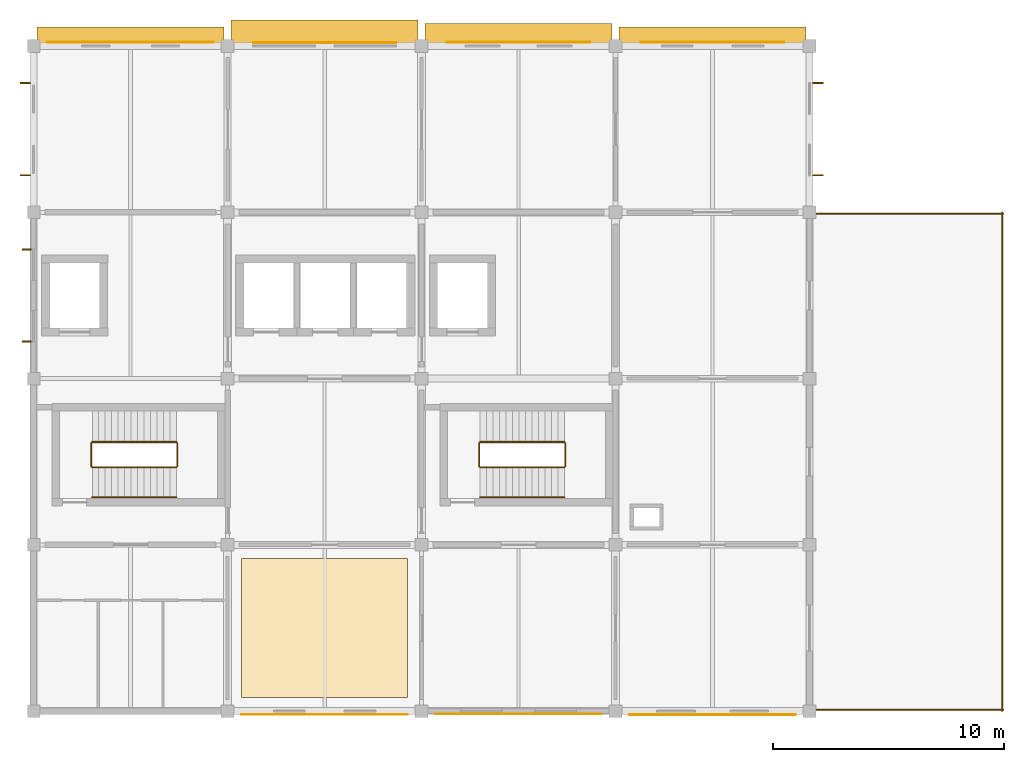
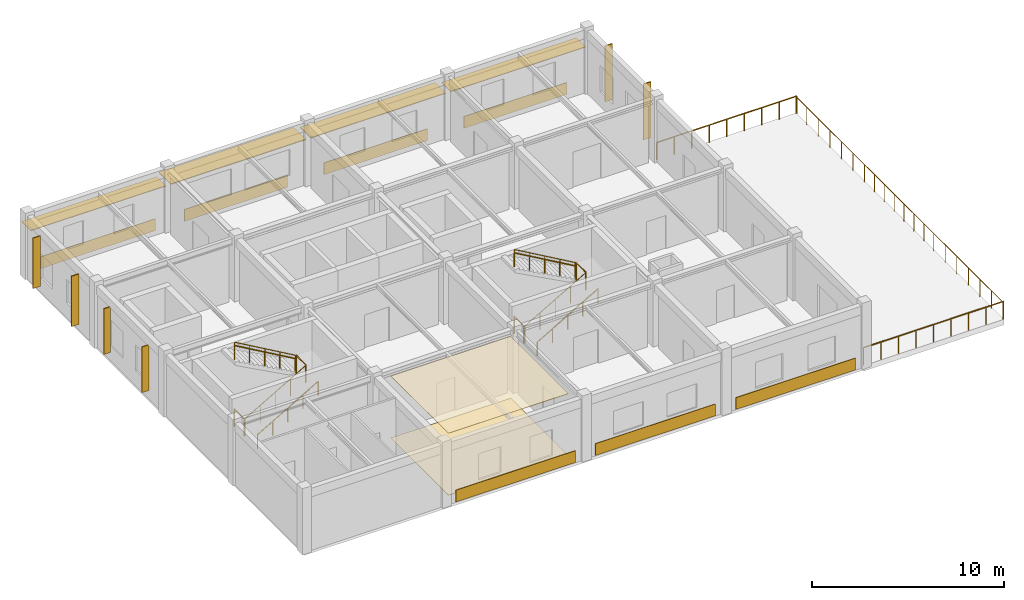
# One storey, part 6 of 6: 17 railings, 10 shading devices, 9 coverings.
"""IFC4 building model written with IfcOpenShell, lengths in metres."""

from ifc_helpers import new_model, si_unit, derived_unit, direction, frame, origin, origin_2d, place, context, subcontext, project, spatial, polyline, rectangle, circle, outline, extrude, material, layer, layer_set, type_object, element, save


model = new_model("IFC4")

# Units and contexts
model_context = context("Model", 3, precision=1e-05, world=origin(), true_north=direction((0.0, 1.0)))
body_context = subcontext(model_context, "Body", "Model", "MODEL_VIEW")
ifc_project = project(units=[si_unit("LENGTHUNIT", "METRE"), si_unit("AREAUNIT", "SQUARE_METRE"), si_unit("VOLUMEUNIT", "CUBIC_METRE"), si_unit("PLANEANGLEUNIT", "RADIAN"), si_unit("MASSUNIT", "GRAM", prefix="KILO"), derived_unit("THERMALTRANSMITTANCEUNIT", [(si_unit("MASSUNIT", "GRAM", prefix="KILO"), 1), (si_unit("TIMEUNIT", "SECOND"), -3), (si_unit("THERMODYNAMICTEMPERATUREUNIT", "KELVIN"), -1)])], contexts=[model_context])

# Site, building, storey
site_placement = place(None, origin())
site = spatial("IfcSite", under=ifc_project, at=site_placement, CompositionType="ELEMENT")
building_placement = place(site_placement, origin())
building = spatial("IfcBuilding", under=site, at=building_placement, Name="Veldstrom Oceanarium and Marine Research Institute", CompositionType="ELEMENT")
storey_placement = place(building_placement, frame((0.0, 0.0, 60.60009765625)))
storey = spatial("IfcBuildingStorey", under=building, at=storey_placement, Name="L13", CompositionType="ELEMENT", Elevation=60.60009765625)

# Coverings
ifc_material_1 = material(Name="Anodised Aluminium Spandrel Rainscreen Cladding", Category="aluminium")
ifc_layer_1 = layer(ifc_material_1, 0.75)
ifc_layer_set_1 = layer_set([ifc_layer_1], Name="ARC-COV-CD1")
covering_type_1 = type_object("IfcCoveringType", Name="ARC-COV-CD1", PredefinedType="CLADDING", material=ifc_layer_set_1)
for number, where, z_axis, x_axis, name in (
    (1, (79.800048828125, 72.16845703125, 0.044921875), (0.0, 0.0, 1.0), (1.0, 0.0, 0.0), "Spandrel Rainscreen Cladding L13-164"),
    (2, (88.199951171875, 43.051513671875, 0.044921875), (0.0, 0.0, 1.0), (1.0, 0.0, 0.0), "Spandrel Rainscreen Cladding L13-166"),
    (3, (96.60009765625, 43.0791015625, 0.044921875), (0.0, 0.0, 1.0), (1.0, 0.0, 0.0), "Spandrel Rainscreen Cladding L13-168"),
    (4, (105.0, 43.04150390625, 0.044921875), (0.0, 0.0, 1.0), (1.0, 0.0, 0.0), "Spandrel Rainscreen Cladding L13-170"),
):
    element("IfcCovering", number, at=place(storey_placement, frame(where, z_axis=z_axis, x_axis=x_axis)), inside=storey, type_object=covering_type_1, Name=name, PredefinedType="CLADDING", context=body_context, shape_type="SweptSolid", body=[
        extrude(rectangle(XDim=7.199951171875, YDim=0.034912109375, at=origin_2d()), origin(), (0.0, 0.0, 1.0), 0.75),
    ])
ifc_material_2 = material(Name="Terracotta Spandrel Rainscreen Cladding", Category="masonry")
ifc_layer_2 = layer(ifc_material_2, 0.75)
ifc_layer_set_2 = layer_set([ifc_layer_2], Name="ARC-COV-CD2")
covering_type_2 = type_object("IfcCoveringType", Name="ARC-COV-CD2", PredefinedType="CLADDING", material=ifc_layer_set_2)
for number, where, z_axis, x_axis, name in (
    (5, (88.199951171875, 72.14111328125, 0.044921875), (0.0, 0.0, 1.0), (1.0, 0.0, 0.0), "Spandrel Rainscreen Cladding L13-167"),
    (6, (96.60009765625, 72.1708984375, 0.044921875), (0.0, 0.0, 1.0), (1.0, 0.0, 0.0), "Spandrel Rainscreen Cladding L13-169"),
    (7, (105.0, 72.1708984375, 0.044921875), (0.0, 0.0, 1.0), (1.0, 0.0, 0.0), "Spandrel Rainscreen Cladding L13-171"),
):
    element("IfcCovering", number, at=place(storey_placement, frame(where, z_axis=z_axis, x_axis=x_axis)), inside=storey, type_object=covering_type_2, Name=name, PredefinedType="CLADDING", context=body_context, shape_type="SweptSolid", body=[
        extrude(rectangle(XDim=6.199951171875, YDim=0.0400390625, at=origin_2d()), origin(), (0.0, 0.0, 1.0), 0.75),
    ])
ifc_material_3 = material(Name="Mineral-Fibre Acoustic Ceiling Tile", Category="gypsum")
ifc_layer_3 = layer(ifc_material_3, 0.02490234375)
ifc_layer_set_3 = layer_set([ifc_layer_3], Name="ARC-COV-CL1")
covering_type_3 = type_object("IfcCoveringType", Name="ARC-COV-CL1", PredefinedType="CEILING", material=ifc_layer_set_3)
covering_1_placement = place(storey_placement, frame((0.0, 0.0, 3.9248046875)))
element("IfcCovering", 8, at=covering_1_placement, inside=storey, type_object=covering_type_3, Name="Suspended Acoustic Ceiling L13", PredefinedType="CEILING", context=body_context, shape_type="SweptSolid", body=[
    extrude(outline(polyline([(84.60009765625, 43.800048828125), (91.800048828125, 43.800048828125), (91.800048828125, 49.800048828125), (84.60009765625, 49.800048828125), (84.60009765625, 43.800048828125)])), origin(), (0.0, 0.0, 1.0), 0.025146484375),
])
ifc_material_4 = material(Name="Polished Terrazzo and Marine Epoxy Flooring", Category="concrete")
ifc_layer_4 = layer(ifc_material_4, 0.02001953125)
ifc_layer_set_4 = layer_set([ifc_layer_4], Name="ARC-COV-FL1")
covering_type_4 = type_object("IfcCoveringType", Name="ARC-COV-FL1", PredefinedType="FLOORING", material=ifc_layer_set_4)
covering_2_placement = place(storey_placement, origin())
element("IfcCovering", 9, at=covering_2_placement, inside=storey, type_object=covering_type_4, Name="Terrazzo and Marine Epoxy Floor Finish L13", PredefinedType="FLOORING", context=body_context, shape_type="SweptSolid", body=[
    extrude(outline(polyline([(84.60009765625, 43.800048828125), (91.800048828125, 43.800048828125), (91.800048828125, 49.800048828125), (84.60009765625, 49.800048828125), (84.60009765625, 43.800048828125)])), origin(), (0.0, 0.0, 1.0), 0.02001953125),
])

# Railings
ifc_material_5 = material(Name="Duplex Stainless Steel Balustrade", Category="steel")
ifc_layer_5 = layer(ifc_material_5, 0.06005859375)
ifc_layer_set_5 = layer_set([ifc_layer_5], Name="ARC-RLG-GR1")
railing_type_1 = type_object("IfcRailingType", Name="ARC-RLG-GR1", PredefinedType="GUARDRAIL", material=ifc_layer_set_5)
railing_1_placement = place(storey_placement, frame((109.199951171875, 43.260009765625, 0.0)))
element("IfcRailing", 10, at=railing_1_placement, inside=storey, type_object=railing_type_1, Name="Terrace Perimeter Guardrail GR-L13-01", PredefinedType="GUARDRAIL", context=body_context, shape_type="SweptSolid", body=[
    extrude(circle(Radius=0.02392578125, at=origin_2d()), frame((0.0, 0.0, 1.09619140625), z_axis=(1.0, 0.0, 0.0), x_axis=(0.0, 1.0, 0.0)), (0.0, 0.0, 1.0), 8.400146484375),
    extrude(circle(Radius=0.02099609375, at=origin_2d()), origin(), (0.0, 0.0, 1.0), 1.072021484375),
    extrude(circle(Radius=0.02099609375, at=origin_2d()), frame((1.050048828125, 0.0, 0.0)), (0.0, 0.0, 1.0), 1.072021484375),
    extrude(circle(Radius=0.02099609375, at=origin_2d()), frame((2.10009765625, 0.0, 0.0)), (0.0, 0.0, 1.0), 1.072021484375),
    extrude(circle(Radius=0.02099609375, at=origin_2d()), frame((3.150146484375, 0.0, 0.0)), (0.0, 0.0, 1.0), 1.072021484375),
    extrude(circle(Radius=0.02099609375, at=origin_2d()), frame((4.2001953125, 0.0, 0.0)), (0.0, 0.0, 1.0), 1.072021484375),
    extrude(circle(Radius=0.02099609375, at=origin_2d()), frame((5.25, 0.0, 0.0)), (0.0, 0.0, 1.0), 1.072021484375),
    extrude(circle(Radius=0.02099609375, at=origin_2d()), frame((6.300048828125, 0.0, 0.0)), (0.0, 0.0, 1.0), 1.072021484375),
    extrude(circle(Radius=0.02099609375, at=origin_2d()), frame((7.35009765625, 0.0, 0.0)), (0.0, 0.0, 1.0), 1.072021484375),
    extrude(circle(Radius=0.02099609375, at=origin_2d()), frame((8.400146484375, 0.0, 0.0)), (0.0, 0.0, 1.0), 1.072021484375),
])
railing_2_placement = place(storey_placement, frame((117.5400390625, 43.199951171875, 0.0)))
element("IfcRailing", 11, at=railing_2_placement, inside=storey, type_object=railing_type_1, Name="Terrace Perimeter Guardrail GR-L13-02", PredefinedType="GUARDRAIL", context=body_context, shape_type="SweptSolid", body=[
    extrude(circle(Radius=0.02392578125, at=origin_2d()), frame((0.0, 0.0, 1.09619140625), z_axis=(0.0, 1.0, 0.0), x_axis=(-1.0, 0.0, 0.0)), (0.0, 0.0, 1.0), 7.199951171875),
    extrude(circle(Radius=0.02099609375, at=origin_2d()), origin(), (0.0, 0.0, 1.0), 1.072021484375),
    extrude(circle(Radius=0.02099609375, at=origin_2d()), frame((0.0, 1.199951171875, 0.0)), (0.0, 0.0, 1.0), 1.072021484375),
    extrude(circle(Radius=0.02099609375, at=origin_2d()), frame((0.0, 2.39990234375, 0.0)), (0.0, 0.0, 1.0), 1.072021484375),
    extrude(circle(Radius=0.02099609375, at=origin_2d()), frame((0.0, 3.60009765625, 0.0)), (0.0, 0.0, 1.0), 1.072021484375),
    extrude(circle(Radius=0.02099609375, at=origin_2d()), frame((0.0, 4.800048828125, 0.0)), (0.0, 0.0, 1.0), 1.072021484375),
    extrude(circle(Radius=0.02099609375, at=origin_2d()), frame((0.0, 6.0, 0.0)), (0.0, 0.0, 1.0), 1.072021484375),
    extrude(circle(Radius=0.02099609375, at=origin_2d()), frame((0.0, 7.199951171875, 0.0)), (0.0, 0.0, 1.0), 1.072021484375),
])
railing_3_placement = place(storey_placement, frame((117.5400390625, 50.39990234375, 0.0)))
element("IfcRailing", 12, at=railing_3_placement, inside=storey, type_object=railing_type_1, Name="Terrace Perimeter Guardrail GR-L13-03", PredefinedType="GUARDRAIL", context=body_context, shape_type="SweptSolid", body=[
    extrude(circle(Radius=0.02392578125, at=origin_2d()), frame((0.0, 0.0, 1.09619140625), z_axis=(0.0, 1.0, 0.0), x_axis=(-1.0, 0.0, 0.0)), (0.0, 0.0, 1.0), 7.2001953125),
    extrude(circle(Radius=0.02099609375, at=origin_2d()), origin(), (0.0, 0.0, 1.0), 1.072021484375),
    extrude(circle(Radius=0.02099609375, at=origin_2d()), frame((0.0, 1.028564453125, 0.0)), (0.0, 0.0, 1.0), 1.072021484375),
    extrude(circle(Radius=0.02099609375, at=origin_2d()), frame((0.0, 2.05712890625, 0.0)), (0.0, 0.0, 1.0), 1.072021484375),
    extrude(circle(Radius=0.02099609375, at=origin_2d()), frame((0.0, 3.085693359375, 0.0)), (0.0, 0.0, 1.0), 1.072021484375),
    extrude(circle(Radius=0.02099609375, at=origin_2d()), frame((0.0, 4.114501953125, 0.0)), (0.0, 0.0, 1.0), 1.072021484375),
    extrude(circle(Radius=0.02099609375, at=origin_2d()), frame((0.0, 5.14306640625, 0.0)), (0.0, 0.0, 1.0), 1.072021484375),
    extrude(circle(Radius=0.02099609375, at=origin_2d()), frame((0.0, 6.171630859375, 0.0)), (0.0, 0.0, 1.0), 1.072021484375),
    extrude(circle(Radius=0.02099609375, at=origin_2d()), frame((0.0, 7.2001953125, 0.0)), (0.0, 0.0, 1.0), 1.072021484375),
])
railing_4_placement = place(storey_placement, frame((109.199951171875, 64.739990234375, 0.0)))
element("IfcRailing", 13, at=railing_4_placement, inside=storey, type_object=railing_type_1, Name="Terrace Perimeter Guardrail GR-L13-04", PredefinedType="GUARDRAIL", context=body_context, shape_type="SweptSolid", body=[
    extrude(circle(Radius=0.02392578125, at=origin_2d()), frame((0.0, 0.0, 1.09619140625), z_axis=(1.0, 0.0, 0.0), x_axis=(0.0, 1.0, 0.0)), (0.0, 0.0, 1.0), 8.400146484375),
    extrude(circle(Radius=0.02099609375, at=origin_2d()), origin(), (0.0, 0.0, 1.0), 1.072021484375),
    extrude(circle(Radius=0.02099609375, at=origin_2d()), frame((1.050048828125, 0.0, 0.0)), (0.0, 0.0, 1.0), 1.072021484375),
    extrude(circle(Radius=0.02099609375, at=origin_2d()), frame((2.10009765625, 0.0, 0.0)), (0.0, 0.0, 1.0), 1.072021484375),
    extrude(circle(Radius=0.02099609375, at=origin_2d()), frame((3.150146484375, 0.0, 0.0)), (0.0, 0.0, 1.0), 1.072021484375),
    extrude(circle(Radius=0.02099609375, at=origin_2d()), frame((4.2001953125, 0.0, 0.0)), (0.0, 0.0, 1.0), 1.072021484375),
    extrude(circle(Radius=0.02099609375, at=origin_2d()), frame((5.25, 0.0, 0.0)), (0.0, 0.0, 1.0), 1.072021484375),
    extrude(circle(Radius=0.02099609375, at=origin_2d()), frame((6.300048828125, 0.0, 0.0)), (0.0, 0.0, 1.0), 1.072021484375),
    extrude(circle(Radius=0.02099609375, at=origin_2d()), frame((7.35009765625, 0.0, 0.0)), (0.0, 0.0, 1.0), 1.072021484375),
    extrude(circle(Radius=0.02099609375, at=origin_2d()), frame((8.400146484375, 0.0, 0.0)), (0.0, 0.0, 1.0), 1.072021484375),
])
railing_5_placement = place(storey_placement, frame((117.5400390625, 57.60009765625, 0.0)))
element("IfcRailing", 14, at=railing_5_placement, inside=storey, type_object=railing_type_1, Name="Terrace Perimeter Guardrail GR-L13-05", PredefinedType="GUARDRAIL", context=body_context, shape_type="SweptSolid", body=[
    extrude(circle(Radius=0.02392578125, at=origin_2d()), frame((0.0, 0.0, 1.09619140625), z_axis=(0.0, 1.0, 0.0), x_axis=(-1.0, 0.0, 0.0)), (0.0, 0.0, 1.0), 7.199951171875),
    extrude(circle(Radius=0.02099609375, at=origin_2d()), origin(), (0.0, 0.0, 1.0), 1.072021484375),
    extrude(circle(Radius=0.02099609375, at=origin_2d()), frame((0.0, 1.199951171875, 0.0)), (0.0, 0.0, 1.0), 1.072021484375),
    extrude(circle(Radius=0.02099609375, at=origin_2d()), frame((0.0, 2.39990234375, 0.0)), (0.0, 0.0, 1.0), 1.072021484375),
    extrude(circle(Radius=0.02099609375, at=origin_2d()), frame((0.0, 3.60009765625, 0.0)), (0.0, 0.0, 1.0), 1.072021484375),
    extrude(circle(Radius=0.02099609375, at=origin_2d()), frame((0.0, 4.800048828125, 0.0)), (0.0, 0.0, 1.0), 1.072021484375),
    extrude(circle(Radius=0.02099609375, at=origin_2d()), frame((0.0, 6.0, 0.0)), (0.0, 0.0, 1.0), 1.072021484375),
    extrude(circle(Radius=0.02099609375, at=origin_2d()), frame((0.0, 7.199951171875, 0.0)), (0.0, 0.0, 1.0), 1.072021484375),
])
railing_6_placement = place(storey_placement, frame((78.10009765625, 53.800048828125, 0.0)))
element("IfcRailing", 15, at=railing_6_placement, inside=storey, type_object=railing_type_1, Name="Stair Well Landing Guard ST1 L13", PredefinedType="GUARDRAIL", context=body_context, shape_type="SweptSolid", body=[
    extrude(circle(Radius=0.02392578125, at=origin_2d()), frame((0.0, 0.0, 1.09619140625), z_axis=(0.0, 1.0, 0.0), x_axis=(-1.0, 0.0, 0.0)), (0.0, 0.0, 1.0), 1.0),
    extrude(circle(Radius=0.02099609375, at=origin_2d()), origin(), (0.0, 0.0, 1.0), 1.072021484375),
    extrude(circle(Radius=0.02099609375, at=origin_2d()), frame((0.0, 1.0, 0.0)), (0.0, 0.0, 1.0), 1.072021484375),
])
railing_7_placement = place(storey_placement, frame((78.139892578125, 53.760009765625, 0.0)))
element("IfcRailing", 16, at=railing_7_placement, inside=storey, type_object=railing_type_1, Name="Stair Flight Guardrail ST1-L13-1", PredefinedType="GUARDRAIL", context=body_context, shape_type="SweptSolid", body=[
    extrude(circle(Radius=0.02392578125, at=origin_2d()), frame((0.0, 0.0, 1.09619140625), z_axis=(0.866208797654, 0.0, 0.499682217882), x_axis=(0.0, 1.0, 0.0)), (0.0, 0.0, 1.0), 4.202392578125),
    extrude(circle(Radius=0.02099609375, at=origin_2d()), origin(), (0.0, 0.0, 1.0), 1.072021484375),
    extrude(circle(Radius=0.02099609375, at=origin_2d()), frame((0.91015625, 0.0, 0.52490234375)), (0.0, 0.0, 1.0), 1.072021484375),
    extrude(circle(Radius=0.02099609375, at=origin_2d()), frame((1.820068359375, 0.0, 1.0498046875)), (0.0, 0.0, 1.0), 1.072021484375),
    extrude(circle(Radius=0.02099609375, at=origin_2d()), frame((2.72998046875, 0.0, 1.574951171875)), (0.0, 0.0, 1.0), 1.072021484375),
    extrude(circle(Radius=0.02099609375, at=origin_2d()), frame((3.64013671875, 0.0, 2.099853515625)), (0.0, 0.0, 1.0), 1.072021484375),
])
railing_8_placement = place(storey_placement, frame((81.820068359375, 53.800048828125, 2.099853515625)))
element("IfcRailing", 17, at=railing_8_placement, inside=storey, type_object=railing_type_1, Name="Stair Half-Landing Guardrail ST1-L13", PredefinedType="GUARDRAIL", context=body_context, shape_type="SweptSolid", body=[
    extrude(circle(Radius=0.02392578125, at=origin_2d()), frame((0.0, 0.0, 1.09619140625), z_axis=(0.0, 1.0, 0.0), x_axis=(-1.0, 0.0, 0.0)), (0.0, 0.0, 1.0), 1.0),
    extrude(circle(Radius=0.02099609375, at=origin_2d()), origin(), (0.0, 0.0, 1.0), 1.072021484375),
    extrude(circle(Radius=0.02099609375, at=origin_2d()), frame((0.0, 1.0, 0.0)), (0.0, 0.0, 1.0), 1.072021484375),
])
railing_9_placement = place(storey_placement, frame((81.780029296875, 54.840087890625, 2.099853515625)))
element("IfcRailing", 18, at=railing_9_placement, inside=storey, type_object=railing_type_1, Name="Stair Flight Guardrail ST1-L13-2", PredefinedType="GUARDRAIL", context=body_context, shape_type="SweptSolid", body=[
    extrude(circle(Radius=0.02392578125, at=origin_2d()), frame((0.0, 0.0, 1.09619140625), z_axis=(-0.86618365172, 0.0, 0.499725806311), x_axis=(0.0, -1.0, 0.0)), (0.0, 0.0, 1.0), 4.202392578125),
    extrude(circle(Radius=0.02099609375, at=origin_2d()), origin(), (0.0, 0.0, 1.0), 1.072021484375),
    extrude(circle(Radius=0.02099609375, at=origin_2d()), frame((-0.91015625, 0.0, 0.52490234375)), (0.0, 0.0, 1.0), 1.072021484375),
    extrude(circle(Radius=0.02099609375, at=origin_2d()), frame((-1.820068359375, 0.0, 1.050048828125)), (0.0, 0.0, 1.0), 1.072021484375),
    extrude(circle(Radius=0.02099609375, at=origin_2d()), frame((-2.72998046875, 0.0, 1.5751953125)), (0.0, 0.0, 1.0), 1.072021484375),
    extrude(circle(Radius=0.02099609375, at=origin_2d()), frame((-3.64013671875, 0.0, 2.10009765625)), (0.0, 0.0, 1.0), 1.072021484375),
])
railing_10_placement = place(storey_placement, frame((94.89990234375, 53.800048828125, 0.0)))
element("IfcRailing", 19, at=railing_10_placement, inside=storey, type_object=railing_type_1, Name="Stair Well Landing Guard ST2 L13", PredefinedType="GUARDRAIL", context=body_context, shape_type="SweptSolid", body=[
    extrude(circle(Radius=0.02392578125, at=origin_2d()), frame((0.0, 0.0, 1.09619140625), z_axis=(0.0, 1.0, 0.0), x_axis=(-1.0, 0.0, 0.0)), (0.0, 0.0, 1.0), 1.0),
    extrude(circle(Radius=0.02099609375, at=origin_2d()), origin(), (0.0, 0.0, 1.0), 1.072021484375),
    extrude(circle(Radius=0.02099609375, at=origin_2d()), frame((0.0, 1.0, 0.0)), (0.0, 0.0, 1.0), 1.072021484375),
])
railing_11_placement = place(storey_placement, frame((94.93994140625, 53.760009765625, 0.0)))
element("IfcRailing", 20, at=railing_11_placement, inside=storey, type_object=railing_type_1, Name="Stair Flight Guardrail ST2-L13-1", PredefinedType="GUARDRAIL", context=body_context, shape_type="SweptSolid", body=[
    extrude(circle(Radius=0.02392578125, at=origin_2d()), frame((0.0, 0.0, 1.09619140625), z_axis=(0.866208797654, 0.0, 0.499682217882), x_axis=(0.0, 1.0, 0.0)), (0.0, 0.0, 1.0), 4.202392578125),
    extrude(circle(Radius=0.02099609375, at=origin_2d()), origin(), (0.0, 0.0, 1.0), 1.072021484375),
    extrude(circle(Radius=0.02099609375, at=origin_2d()), frame((0.91015625, 0.0, 0.52490234375)), (0.0, 0.0, 1.0), 1.072021484375),
    extrude(circle(Radius=0.02099609375, at=origin_2d()), frame((1.820068359375, 0.0, 1.0498046875)), (0.0, 0.0, 1.0), 1.072021484375),
    extrude(circle(Radius=0.02099609375, at=origin_2d()), frame((2.72998046875, 0.0, 1.574951171875)), (0.0, 0.0, 1.0), 1.072021484375),
    extrude(circle(Radius=0.02099609375, at=origin_2d()), frame((3.64013671875, 0.0, 2.099853515625)), (0.0, 0.0, 1.0), 1.072021484375),
])
railing_12_placement = place(storey_placement, frame((98.6201171875, 53.800048828125, 2.099853515625)))
element("IfcRailing", 21, at=railing_12_placement, inside=storey, type_object=railing_type_1, Name="Stair Half-Landing Guardrail ST2-L13", PredefinedType="GUARDRAIL", context=body_context, shape_type="SweptSolid", body=[
    extrude(circle(Radius=0.02392578125, at=origin_2d()), frame((0.0, 0.0, 1.09619140625), z_axis=(0.0, 1.0, 0.0), x_axis=(-1.0, 0.0, 0.0)), (0.0, 0.0, 1.0), 1.0),
    extrude(circle(Radius=0.02099609375, at=origin_2d()), origin(), (0.0, 0.0, 1.0), 1.072021484375),
    extrude(circle(Radius=0.02099609375, at=origin_2d()), frame((0.0, 1.0, 0.0)), (0.0, 0.0, 1.0), 1.072021484375),
])
railing_13_placement = place(storey_placement, frame((98.580078125, 54.840087890625, 2.099853515625)))
element("IfcRailing", 22, at=railing_13_placement, inside=storey, type_object=railing_type_1, Name="Stair Flight Guardrail ST2-L13-2", PredefinedType="GUARDRAIL", context=body_context, shape_type="SweptSolid", body=[
    extrude(circle(Radius=0.02392578125, at=origin_2d()), frame((0.0, 0.0, 1.09619140625), z_axis=(-0.86618365172, 0.0, 0.499725806311), x_axis=(0.0, -1.0, 0.0)), (0.0, 0.0, 1.0), 4.202392578125),
    extrude(circle(Radius=0.02099609375, at=origin_2d()), origin(), (0.0, 0.0, 1.0), 1.072021484375),
    extrude(circle(Radius=0.02099609375, at=origin_2d()), frame((-0.91015625, 0.0, 0.52490234375)), (0.0, 0.0, 1.0), 1.072021484375),
    extrude(circle(Radius=0.02099609375, at=origin_2d()), frame((-1.820068359375, 0.0, 1.050048828125)), (0.0, 0.0, 1.0), 1.072021484375),
    extrude(circle(Radius=0.02099609375, at=origin_2d()), frame((-2.72998046875, 0.0, 1.5751953125)), (0.0, 0.0, 1.0), 1.072021484375),
    extrude(circle(Radius=0.02099609375, at=origin_2d()), frame((-3.64013671875, 0.0, 2.10009765625)), (0.0, 0.0, 1.0), 1.072021484375),
])
ifc_material_6 = material(Name="Brushed Stainless Steel Handrail", Category="steel")
ifc_layer_6 = layer(ifc_material_6, 0.050048828125)
ifc_layer_set_6 = layer_set([ifc_layer_6], Name="ARC-RLG-HR1")
railing_type_2 = type_object("IfcRailingType", Name="ARC-RLG-HR1", PredefinedType="HANDRAIL", material=ifc_layer_set_6)
railing_14_placement = place(storey_placement, frame((78.139892578125, 52.4599609375, 0.0)))
element("IfcRailing", 23, at=railing_14_placement, inside=storey, type_object=railing_type_2, Name="Stair Wall Handrail ST1-L13-1", PredefinedType="HANDRAIL", context=body_context, shape_type="SweptSolid", body=[
    extrude(circle(Radius=0.02392578125, at=origin_2d()), frame((0.0, 0.0, 0.8759765625), z_axis=(0.866208797654, 0.0, 0.499682217882), x_axis=(0.0, 1.0, 0.0)), (0.0, 0.0, 1.0), 4.202392578125),
    extrude(circle(Radius=0.02099609375, at=origin_2d()), origin(), (0.0, 0.0, 1.0), 0.851806640625),
    extrude(circle(Radius=0.02099609375, at=origin_2d()), frame((0.91015625, 0.0, 0.52490234375)), (0.0, 0.0, 1.0), 0.851806640625),
    extrude(circle(Radius=0.02099609375, at=origin_2d()), frame((1.820068359375, 0.0, 1.0498046875)), (0.0, 0.0, 1.0), 0.851806640625),
    extrude(circle(Radius=0.02099609375, at=origin_2d()), frame((2.72998046875, 0.0, 1.574951171875)), (0.0, 0.0, 1.0), 0.851806640625),
    extrude(circle(Radius=0.02099609375, at=origin_2d()), frame((3.64013671875, 0.0, 2.099853515625)), (0.0, 0.0, 1.0), 0.851806640625),
])
railing_15_placement = place(storey_placement, frame((81.780029296875, 54.860107421875, 2.099853515625)))
element("IfcRailing", 24, at=railing_15_placement, inside=storey, type_object=railing_type_2, Name="Stair Wall Handrail ST1-L13-2", PredefinedType="HANDRAIL", context=body_context, shape_type="SweptSolid", body=[
    extrude(circle(Radius=0.02392578125, at=origin_2d()), frame((0.0, 0.0, 0.8759765625), z_axis=(-0.86618365172, 0.0, 0.499725806311), x_axis=(0.0, -1.0, 0.0)), (0.0, 0.0, 1.0), 4.202392578125),
    extrude(circle(Radius=0.02099609375, at=origin_2d()), origin(), (0.0, 0.0, 1.0), 0.851806640625),
    extrude(circle(Radius=0.02099609375, at=origin_2d()), frame((-0.91015625, 0.0, 0.52490234375)), (0.0, 0.0, 1.0), 0.851806640625),
    extrude(circle(Radius=0.02099609375, at=origin_2d()), frame((-1.820068359375, 0.0, 1.050048828125)), (0.0, 0.0, 1.0), 0.851806640625),
    extrude(circle(Radius=0.02099609375, at=origin_2d()), frame((-2.72998046875, 0.0, 1.5751953125)), (0.0, 0.0, 1.0), 0.851806640625),
    extrude(circle(Radius=0.02099609375, at=origin_2d()), frame((-3.64013671875, 0.0, 2.10009765625)), (0.0, 0.0, 1.0), 0.851806640625),
])
railing_16_placement = place(storey_placement, frame((94.93994140625, 52.4599609375, 0.0)))
element("IfcRailing", 25, at=railing_16_placement, inside=storey, type_object=railing_type_2, Name="Stair Wall Handrail ST2-L13-1", PredefinedType="HANDRAIL", context=body_context, shape_type="SweptSolid", body=[
    extrude(circle(Radius=0.02392578125, at=origin_2d()), frame((0.0, 0.0, 0.8759765625), z_axis=(0.866208797654, 0.0, 0.499682217882), x_axis=(0.0, 1.0, 0.0)), (0.0, 0.0, 1.0), 4.202392578125),
    extrude(circle(Radius=0.02099609375, at=origin_2d()), origin(), (0.0, 0.0, 1.0), 0.851806640625),
    extrude(circle(Radius=0.02099609375, at=origin_2d()), frame((0.91015625, 0.0, 0.52490234375)), (0.0, 0.0, 1.0), 0.851806640625),
    extrude(circle(Radius=0.02099609375, at=origin_2d()), frame((1.820068359375, 0.0, 1.0498046875)), (0.0, 0.0, 1.0), 0.851806640625),
    extrude(circle(Radius=0.02099609375, at=origin_2d()), frame((2.72998046875, 0.0, 1.574951171875)), (0.0, 0.0, 1.0), 0.851806640625),
    extrude(circle(Radius=0.02099609375, at=origin_2d()), frame((3.64013671875, 0.0, 2.099853515625)), (0.0, 0.0, 1.0), 0.851806640625),
])
railing_17_placement = place(storey_placement, frame((98.580078125, 54.860107421875, 2.099853515625)))
element("IfcRailing", 26, at=railing_17_placement, inside=storey, type_object=railing_type_2, Name="Stair Wall Handrail ST2-L13-2", PredefinedType="HANDRAIL", context=body_context, shape_type="SweptSolid", body=[
    extrude(circle(Radius=0.02392578125, at=origin_2d()), frame((0.0, 0.0, 0.8759765625), z_axis=(-0.86618365172, 0.0, 0.499725806311), x_axis=(0.0, -1.0, 0.0)), (0.0, 0.0, 1.0), 4.202392578125),
    extrude(circle(Radius=0.02099609375, at=origin_2d()), origin(), (0.0, 0.0, 1.0), 0.851806640625),
    extrude(circle(Radius=0.02099609375, at=origin_2d()), frame((-0.91015625, 0.0, 0.52490234375)), (0.0, 0.0, 1.0), 0.851806640625),
    extrude(circle(Radius=0.02099609375, at=origin_2d()), frame((-1.820068359375, 0.0, 1.050048828125)), (0.0, 0.0, 1.0), 0.851806640625),
    extrude(circle(Radius=0.02099609375, at=origin_2d()), frame((-2.72998046875, 0.0, 1.5751953125)), (0.0, 0.0, 1.0), 0.851806640625),
    extrude(circle(Radius=0.02099609375, at=origin_2d()), frame((-3.64013671875, 0.0, 2.10009765625)), (0.0, 0.0, 1.0), 0.851806640625),
])

# Shading devices
ifc_material_7 = material(Name="Precast Terracotta Brise-Soleil Louvre", Category="masonry")
ifc_layer_7 = layer(ifc_material_7, 3.60009765625)
ifc_layer_set_7 = layer_set([ifc_layer_7], Name="ARC-SHD-BS01")
shading_device_type_1 = type_object("IfcShadingDeviceType", Name="ARC-SHD-BS01", PredefinedType="JALOUSIE", material=ifc_layer_set_7)
for number, where, z_axis, x_axis, name in (
    (27, (109.56494140625, 66.405029296875, 0.19970703125), (0.0, 0.0, 1.0), (1.0, 0.0, 0.0), "Terracotta Brise-Soleil Louvre L13-172"),
    (28, (109.56494140625, 70.39501953125, 0.19970703125), (0.0, 0.0, 1.0), (1.0, 0.0, 0.0), "Terracotta Brise-Soleil Louvre L13-172"),
):
    element("IfcShadingDevice", number, at=place(storey_placement, frame(where, z_axis=z_axis, x_axis=x_axis)), inside=storey, type_object=shading_device_type_1, Name=name, PredefinedType="JALOUSIE", context=body_context, shape_type="SweptSolid", body=[
        extrude(rectangle(XDim=0.449951171875, YDim=0.06005859375, at=origin_2d()), origin(), (0.0, 0.0, 1.0), 3.550048828125),
    ])
ifc_material_8 = material(Name="Precast Terracotta Brise-Soleil Louvre", Category="masonry")
ifc_layer_8 = layer(ifc_material_8, 3.199951171875)
ifc_layer_set_8 = layer_set([ifc_layer_8], Name="ARC-SHD-BS02")
shading_device_type_2 = type_object("IfcShadingDeviceType", Name="ARC-SHD-BS02", PredefinedType="JALOUSIE", material=ifc_layer_set_8)
for number, where, z_axis, x_axis, name in (
    (29, (75.235107421875, 66.405029296875, 0.375), (0.0, 0.0, 1.0), (1.0, 0.0, 0.0), "Terracotta Brise-Soleil Louvre L13-165"),
    (30, (75.235107421875, 70.39501953125, 0.375), (0.0, 0.0, 1.0), (1.0, 0.0, 0.0), "Terracotta Brise-Soleil Louvre L13-165"),
):
    element("IfcShadingDevice", number, at=place(storey_placement, frame(where, z_axis=z_axis, x_axis=x_axis)), inside=storey, type_object=shading_device_type_2, Name=name, PredefinedType="JALOUSIE", context=body_context, shape_type="SweptSolid", body=[
        extrude(rectangle(XDim=0.449951171875, YDim=0.06005859375, at=origin_2d()), origin(), (0.0, 0.0, 1.0), 3.199951171875),
    ])
ifc_material_9 = material(Name="Precast Terracotta Brise-Soleil Louvre", Category="masonry")
ifc_layer_9 = layer(ifc_material_9, 2.89990234375)
ifc_layer_set_9 = layer_set([ifc_layer_9], Name="ARC-SHD-BS04")
shading_device_type_3 = type_object("IfcShadingDeviceType", Name="ARC-SHD-BS04", PredefinedType="JALOUSIE", material=ifc_layer_set_9)
for number, where, z_axis, x_axis, name in (
    (31, (75.297607421875, 59.205078125, 0.52490234375), (0.0, 0.0, 1.0), (1.0, 0.0, 0.0), "Terracotta Brise-Soleil Louvre L13-163"),
    (32, (75.297607421875, 63.195068359375, 0.52490234375), (0.0, 0.0, 1.0), (1.0, 0.0, 0.0), "Terracotta Brise-Soleil Louvre L13-163"),
):
    element("IfcShadingDevice", number, at=place(storey_placement, frame(where, z_axis=z_axis, x_axis=x_axis)), inside=storey, type_object=shading_device_type_3, Name=name, PredefinedType="JALOUSIE", context=body_context, shape_type="SweptSolid", body=[
        extrude(rectangle(XDim=0.39990234375, YDim=0.054931640625, at=origin_2d()), origin(), (0.0, 0.0, 1.0), 2.89990234375),
    ])
ifc_material_10 = material(Name="Perforated Anodised Aluminium Louvre", Category="aluminium")
ifc_layer_10 = layer(ifc_material_10, 0.054931640625)
ifc_layer_set_10 = layer_set([ifc_layer_10], Name="ARC-SHD-SH01")
shading_device_type_4 = type_object("IfcShadingDeviceType", Name="ARC-SHD-SH01", PredefinedType="AWNING", material=ifc_layer_set_10)
shading_device_1_placement = place(storey_placement, frame((88.199951171875, 72.5048828125, 2.85009765625), z_axis=(0.0, 0.0, 1.0), x_axis=(1.0, 0.0, 0.0)))
element("IfcShadingDevice", 33, at=shading_device_1_placement, inside=storey, type_object=shading_device_type_4, Name="North Solar Canopy Louvre L13-11", PredefinedType="AWNING", context=body_context, shape_type="SweptSolid", body=[
    extrude(rectangle(XDim=8.10009765625, YDim=1.25, at=origin_2d()), origin(), (0.0, 0.0, 1.0), 0.054931640625),
])
ifc_material_11 = material(Name="Perforated Anodised Aluminium Louvre", Category="aluminium")
ifc_layer_11 = layer(ifc_material_11, 0.050048828125)
ifc_layer_set_11 = layer_set([ifc_layer_11], Name="ARC-SHD-SH02")
shading_device_type_5 = type_object("IfcShadingDeviceType", Name="ARC-SHD-SH02", PredefinedType="AWNING", material=ifc_layer_set_11)
shading_device_2_placement = place(storey_placement, frame((96.60009765625, 72.429931640625, 2.85009765625), z_axis=(0.0, 0.0, 1.0), x_axis=(1.0, 0.0, 0.0)))
element("IfcShadingDevice", 34, at=shading_device_2_placement, inside=storey, type_object=shading_device_type_5, Name="North Solar Canopy Louvre L13-12", PredefinedType="AWNING", context=body_context, shape_type="SweptSolid", body=[
    extrude(rectangle(XDim=8.10009765625, YDim=1.10009765625, at=origin_2d()), origin(), (0.0, 0.0, 1.0), 0.050048828125),
])
ifc_material_12 = material(Name="Perforated Anodised Aluminium Louvre", Category="aluminium")
ifc_layer_12 = layer(ifc_material_12, 0.044921875)
ifc_layer_set_12 = layer_set([ifc_layer_12], Name="ARC-SHD-SH03")
shading_device_type_6 = type_object("IfcShadingDeviceType", Name="ARC-SHD-SH03", PredefinedType="AWNING", material=ifc_layer_set_12)
for number, where, z_axis, x_axis, name in (
    (35, (79.800048828125, 72.35498046875, 2.849853515625), (0.0, 0.0, 1.0), (1.0, 0.0, 0.0), "North Solar Canopy Louvre L13-10"),
    (36, (105.0, 72.35498046875, 2.849853515625), (0.0, 0.0, 1.0), (1.0, 0.0, 0.0), "North Solar Canopy Louvre L13-13"),
):
    element("IfcShadingDevice", number, at=place(storey_placement, frame(where, z_axis=z_axis, x_axis=x_axis)), inside=storey, type_object=shading_device_type_6, Name=name, PredefinedType="AWNING", context=body_context, shape_type="SweptSolid", body=[
        extrude(rectangle(XDim=8.10009765625, YDim=0.949951171875, at=origin_2d()), origin(), (0.0, 0.0, 1.0), 0.044921875),
    ])

save(model, "model.ifc")
